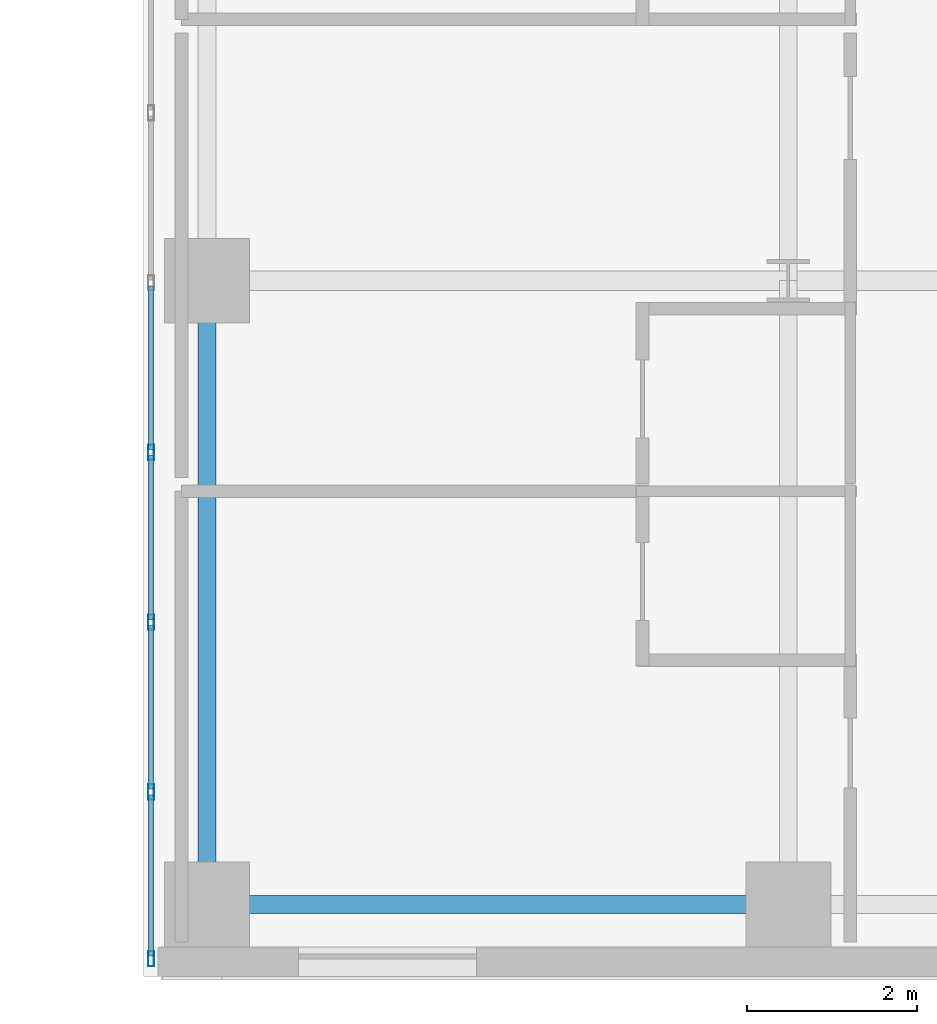
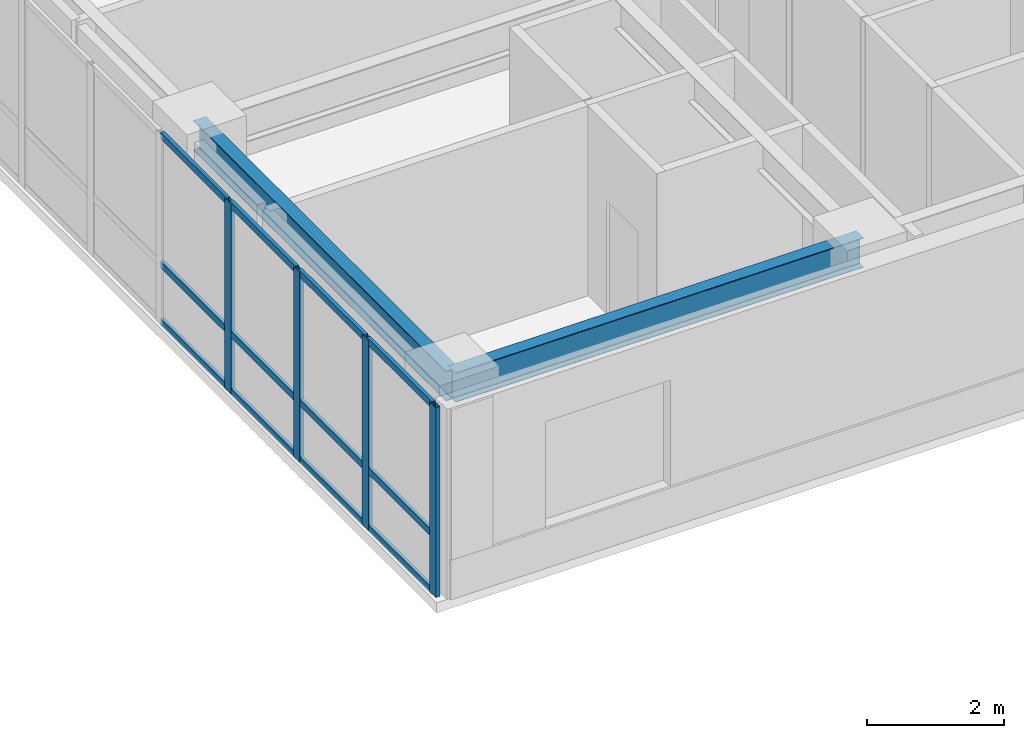
# One storey, part 14 of 37: 16 members, 2 beams, 1 element without a shape of its own.
"""IFC4 building model written with IfcOpenShell, lengths in metres."""

from ifc_helpers import new_model, si_unit, direction, frame, origin, origin_2d, place, context, subcontext, project, spatial, hollow_rectangle, i_section, extrude, source, transform, mapped, material, layer, layer_set, material_profile, profile_set, type_object, type_shapes, element, aggregate, save


model = new_model("IFC4")

# Units and contexts
model_context = context("Model", 3, precision=1e-05, world=origin(), true_north=direction((0.0, 1.0)))
body_context = subcontext(model_context, "Body", "Model", "MODEL_VIEW")
ifc_project = project(units=[si_unit("LENGTHUNIT", "METRE"), si_unit("AREAUNIT", "SQUARE_METRE"), si_unit("VOLUMEUNIT", "CUBIC_METRE"), si_unit("PLANEANGLEUNIT", "RADIAN"), si_unit("MASSUNIT", "GRAM", prefix="KILO")], contexts=[model_context])

# Site, building, storey
site_placement = place(None, origin())
site = spatial("IfcSite", under=ifc_project, at=site_placement, CompositionType="ELEMENT")
building_placement = place(site_placement, origin())
building = spatial("IfcBuilding", under=site, at=building_placement, Name="Tolvann Quenvar Hotel", CompositionType="ELEMENT")
storey_placement = place(building_placement, frame((0.0, 0.0, 53.300048828125)))
storey = spatial("IfcBuildingStorey", under=building, at=storey_placement, Name="L12", CompositionType="ELEMENT", Elevation=53.300048828125)

# Beams
ifc_material_1 = material(Name="Steel Grade 350", Category="steel")
ifc_material_profile_1 = material_profile(ifc_material_1, i_section(OverallWidth=0.208984375, OverallDepth=0.528076171875, WebThickness=0.009521484375, FlangeThickness=0.01318359375, FilletRadius=0.013916015625, at=origin_2d()), Name="530UB82")
ifc_profile_set_1 = profile_set([ifc_material_profile_1], Name="Steel Grade 350")
beam_type_1 = type_object("IfcBeamType", Name="BM_SPAND_530UB82", PredefinedType="SPANDREL", material=ifc_profile_set_1)
shared_shape_1 = source(origin(), body_context, "Body", "SweptSolid", [
    extrude(i_section(OverallWidth=0.208984375, OverallDepth=0.528076171875, WebThickness=0.009521484375, FlangeThickness=0.01318359375, FilletRadius=0.013916015625, at=origin_2d()), origin(), (0.0, 0.0, 1.0), 6.85009765625),
])
type_shapes(beam_type_1, [shared_shape_1])
beam_1_placement = place(storey_placement, frame((34.949951171875, 0.85009765625, 3.10595703125), z_axis=(1.0, 0.0, 0.0), x_axis=(0.0, 1.0, 0.0)))
element("IfcBeam", 1, at=beam_1_placement, inside=storey, type_object=beam_type_1, Name="BM-L12-EW-2-F2-H2", PredefinedType="SPANDREL", context=body_context, shape_type="MappedRepresentation", body=[
    mapped(shared_shape_1, transform((0.0, 0.0, 0.0), x_axis=(1.0, 0.0, 0.0), y_axis=(0.0, 1.0, 0.0), z_axis=(0.0, 0.0, 1.0), scale=1.0)),
])
ifc_material_profile_2 = material_profile(ifc_material_1, i_section(OverallWidth=0.208984375, OverallDepth=0.532958984375, WebThickness=0.01025390625, FlangeThickness=0.015625, FilletRadius=0.013916015625, at=origin_2d()), Name="530UB92")
ifc_profile_set_2 = profile_set([ifc_material_profile_2], Name="Steel Grade 350")
beam_type_2 = type_object("IfcBeamType", Name="BM_GIRD_530UB92", PredefinedType="BEAM", material=ifc_profile_set_2)
shared_shape_2 = source(origin(), body_context, "Body", "SweptSolid", [
    extrude(i_section(OverallWidth=0.208984375, OverallDepth=0.532958984375, WebThickness=0.01025390625, FlangeThickness=0.015625, FilletRadius=0.013916015625, at=origin_2d()), origin(), (0.0, 0.0, 1.0), 7.349853515625),
])
type_shapes(beam_type_2, [shared_shape_2])
beam_2_placement = place(storey_placement, frame((34.949951171875, 0.85009765625, 3.103515625), z_axis=(0.0, 1.0, 0.0), x_axis=(-1.0, 0.0, 0.0)))
element("IfcBeam", 2, at=beam_2_placement, inside=storey, type_object=beam_type_2, Name="BM-L12-NS-F2-F3", PredefinedType="BEAM", context=body_context, shape_type="MappedRepresentation", body=[
    mapped(shared_shape_2, transform((0.0, 0.0, 0.0), x_axis=(1.0, 0.0, 0.0), y_axis=(0.0, 1.0, 0.0), z_axis=(0.0, 0.0, 1.0), scale=1.0)),
])

# Curtain wall, members
ifc_material_2 = material(Name="Thermally broken anodised architectural aluminium 6063-T6 and laminated low-E glass", Category="aluminium")
ifc_layer = layer(ifc_material_2, 0.179931640625)
ifc_layer_set = layer_set([ifc_layer], Name="Thermally broken anodised architectural aluminium 6063-T6 and laminated low-E glass")
curtain_wall_type = type_object("IfcCurtainWallType", Name="CW_SYS_SLOT_03", PredefinedType="USERDEFINED", material=ifc_layer_set)
curtain_wall_placement = place(storey_placement, origin())
curtain_wall = element("IfcCurtainWall", 3, at=curtain_wall_placement, inside=storey, type_object=curtain_wall_type, Name="Curtain Wall CW-SLOT-03 (CWR-L12-E07)", ObjectType="UNITISED CURTAIN WALL", PredefinedType="USERDEFINED")
ifc_material_3 = material(Name="Anodised architectural aluminium 6063-T6 framing", Category="aluminium")
ifc_material_profile_3 = material_profile(ifc_material_3, hollow_rectangle(XDim=0.06005859375, YDim=0.1201171875, WallThickness=0.00341796875, at=origin_2d()), Name="120x60x3.5RHS")
ifc_profile_set_3 = profile_set([ifc_material_profile_3], Name="Anodised architectural aluminium 6063-T6 framing")
member_type_1 = type_object("IfcMemberType", Name="CW_TRAN_120x60", PredefinedType="USERDEFINED", material=ifc_profile_set_3)
shared_shape_3 = source(origin(), body_context, "Body", "SweptSolid", [
    extrude(hollow_rectangle(XDim=0.06005859375, YDim=0.1201171875, WallThickness=0.00341796875, at=origin_2d()), origin(), (0.0, 0.0, 1.0), 1.894775390625),
])
member_1_placement = place(storey_placement, frame((34.2900390625, 2.139892578125, 0.030029296875), z_axis=(0.0, -1.0, 0.0), x_axis=(1.0, 0.0, 0.0)))
member_1 = element("IfcMember", 4, at=member_1_placement, type_object=member_type_1, Name="CW-SLOT-03 transom 8.1", ObjectType="TRANSOM", PredefinedType="USERDEFINED", context=body_context, shape_type="MappedRepresentation", body=[
    mapped(shared_shape_3, transform((0.0, 0.0, 0.0), x_axis=(1.0, 0.0, 0.0), y_axis=(0.0, 1.0, 0.0), z_axis=(0.0, 0.0, 1.0), scale=1.0)),
])
member_2_placement = place(storey_placement, frame((34.2900390625, 2.139892578125, 1.050048828125), z_axis=(0.0, -1.0, 0.0), x_axis=(1.0, 0.0, 0.0)))
member_2 = element("IfcMember", 5, at=member_2_placement, type_object=member_type_1, Name="CW-SLOT-03 transom 8.2", ObjectType="TRANSOM", PredefinedType="USERDEFINED", context=body_context, shape_type="MappedRepresentation", body=[
    mapped(shared_shape_3, transform((0.0, 0.0, 0.0), x_axis=(1.0, 0.0, 0.0), y_axis=(0.0, 1.0, 0.0), z_axis=(0.0, 0.0, 1.0), scale=1.0)),
])
member_3_placement = place(storey_placement, frame((34.2900390625, 2.139892578125, 3.33984375), z_axis=(0.0, -1.0, 0.0), x_axis=(1.0, 0.0, 0.0)))
member_3 = element("IfcMember", 6, at=member_3_placement, type_object=member_type_1, Name="CW-SLOT-03 transom 8.3", ObjectType="TRANSOM", PredefinedType="USERDEFINED", context=body_context, shape_type="MappedRepresentation", body=[
    mapped(shared_shape_3, transform((0.0, 0.0, 0.0), x_axis=(1.0, 0.0, 0.0), y_axis=(0.0, 1.0, 0.0), z_axis=(0.0, 0.0, 1.0), scale=1.0)),
])
shared_shape_4 = source(origin(), body_context, "Body", "SweptSolid", [
    extrude(hollow_rectangle(XDim=0.06005859375, YDim=0.1201171875, WallThickness=0.00341796875, at=origin_2d()), origin(), (0.0, 0.0, 1.0), 1.929931640625),
])
type_shapes(member_type_1, [shared_shape_3, shared_shape_4])
member_4_placement = place(storey_placement, frame((34.2900390625, 8.139892578125, 0.030029296875), z_axis=(0.0, -1.0, 0.0), x_axis=(1.0, 0.0, 0.0)))
member_4 = element("IfcMember", 7, at=member_4_placement, type_object=member_type_1, Name="CW-SLOT-03 transom 5.1", ObjectType="TRANSOM", PredefinedType="USERDEFINED", context=body_context, shape_type="MappedRepresentation", body=[
    mapped(shared_shape_4, transform((0.0, 0.0, 0.0), x_axis=(1.0, 0.0, 0.0), y_axis=(0.0, 1.0, 0.0), z_axis=(0.0, 0.0, 1.0), scale=1.0)),
])
member_5_placement = place(storey_placement, frame((34.2900390625, 8.139892578125, 1.050048828125), z_axis=(0.0, -1.0, 0.0), x_axis=(1.0, 0.0, 0.0)))
member_5 = element("IfcMember", 8, at=member_5_placement, type_object=member_type_1, Name="CW-SLOT-03 transom 5.2", ObjectType="TRANSOM", PredefinedType="USERDEFINED", context=body_context, shape_type="MappedRepresentation", body=[
    mapped(shared_shape_4, transform((0.0, 0.0, 0.0), x_axis=(1.0, 0.0, 0.0), y_axis=(0.0, 1.0, 0.0), z_axis=(0.0, 0.0, 1.0), scale=1.0)),
])
member_6_placement = place(storey_placement, frame((34.2900390625, 8.139892578125, 3.33984375), z_axis=(0.0, -1.0, 0.0), x_axis=(1.0, 0.0, 0.0)))
member_6 = element("IfcMember", 9, at=member_6_placement, type_object=member_type_1, Name="CW-SLOT-03 transom 5.3", ObjectType="TRANSOM", PredefinedType="USERDEFINED", context=body_context, shape_type="MappedRepresentation", body=[
    mapped(shared_shape_4, transform((0.0, 0.0, 0.0), x_axis=(1.0, 0.0, 0.0), y_axis=(0.0, 1.0, 0.0), z_axis=(0.0, 0.0, 1.0), scale=1.0)),
])
member_7_placement = place(storey_placement, frame((34.2900390625, 6.139892578125, 0.030029296875), z_axis=(0.0, -1.0, 0.0), x_axis=(1.0, 0.0, 0.0)))
member_7 = element("IfcMember", 10, at=member_7_placement, type_object=member_type_1, Name="CW-SLOT-03 transom 6.1", ObjectType="TRANSOM", PredefinedType="USERDEFINED", context=body_context, shape_type="MappedRepresentation", body=[
    mapped(shared_shape_4, transform((0.0, 0.0, 0.0), x_axis=(1.0, 0.0, 0.0), y_axis=(0.0, 1.0, 0.0), z_axis=(0.0, 0.0, 1.0), scale=1.0)),
])
member_8_placement = place(storey_placement, frame((34.2900390625, 6.139892578125, 1.050048828125), z_axis=(0.0, -1.0, 0.0), x_axis=(1.0, 0.0, 0.0)))
member_8 = element("IfcMember", 11, at=member_8_placement, type_object=member_type_1, Name="CW-SLOT-03 transom 6.2", ObjectType="TRANSOM", PredefinedType="USERDEFINED", context=body_context, shape_type="MappedRepresentation", body=[
    mapped(shared_shape_4, transform((0.0, 0.0, 0.0), x_axis=(1.0, 0.0, 0.0), y_axis=(0.0, 1.0, 0.0), z_axis=(0.0, 0.0, 1.0), scale=1.0)),
])
member_9_placement = place(storey_placement, frame((34.2900390625, 6.139892578125, 3.33984375), z_axis=(0.0, -1.0, 0.0), x_axis=(1.0, 0.0, 0.0)))
member_9 = element("IfcMember", 12, at=member_9_placement, type_object=member_type_1, Name="CW-SLOT-03 transom 6.3", ObjectType="TRANSOM", PredefinedType="USERDEFINED", context=body_context, shape_type="MappedRepresentation", body=[
    mapped(shared_shape_4, transform((0.0, 0.0, 0.0), x_axis=(1.0, 0.0, 0.0), y_axis=(0.0, 1.0, 0.0), z_axis=(0.0, 0.0, 1.0), scale=1.0)),
])
member_10_placement = place(storey_placement, frame((34.2900390625, 4.139892578125, 0.030029296875), z_axis=(0.0, -1.0, 0.0), x_axis=(1.0, 0.0, 0.0)))
member_10 = element("IfcMember", 13, at=member_10_placement, type_object=member_type_1, Name="CW-SLOT-03 transom 7.1", ObjectType="TRANSOM", PredefinedType="USERDEFINED", context=body_context, shape_type="MappedRepresentation", body=[
    mapped(shared_shape_4, transform((0.0, 0.0, 0.0), x_axis=(1.0, 0.0, 0.0), y_axis=(0.0, 1.0, 0.0), z_axis=(0.0, 0.0, 1.0), scale=1.0)),
])
member_11_placement = place(storey_placement, frame((34.2900390625, 4.139892578125, 1.050048828125), z_axis=(0.0, -1.0, 0.0), x_axis=(1.0, 0.0, 0.0)))
member_11 = element("IfcMember", 14, at=member_11_placement, type_object=member_type_1, Name="CW-SLOT-03 transom 7.2", ObjectType="TRANSOM", PredefinedType="USERDEFINED", context=body_context, shape_type="MappedRepresentation", body=[
    mapped(shared_shape_4, transform((0.0, 0.0, 0.0), x_axis=(1.0, 0.0, 0.0), y_axis=(0.0, 1.0, 0.0), z_axis=(0.0, 0.0, 1.0), scale=1.0)),
])
member_12_placement = place(storey_placement, frame((34.2900390625, 4.139892578125, 3.33984375), z_axis=(0.0, -1.0, 0.0), x_axis=(1.0, 0.0, 0.0)))
member_12 = element("IfcMember", 15, at=member_12_placement, type_object=member_type_1, Name="CW-SLOT-03 transom 7.3", ObjectType="TRANSOM", PredefinedType="USERDEFINED", context=body_context, shape_type="MappedRepresentation", body=[
    mapped(shared_shape_4, transform((0.0, 0.0, 0.0), x_axis=(1.0, 0.0, 0.0), y_axis=(0.0, 1.0, 0.0), z_axis=(0.0, 0.0, 1.0), scale=1.0)),
])
ifc_material_profile_4 = material_profile(ifc_material_3, hollow_rectangle(XDim=0.070068359375, YDim=0.179931640625, WallThickness=0.00390625, at=origin_2d()), Name="180x70x4RHS")
ifc_profile_set_4 = profile_set([ifc_material_profile_4], Name="Anodised architectural aluminium 6063-T6 framing")
member_type_2 = type_object("IfcMemberType", Name="CW_MULL_180x70", PredefinedType="MULLION", material=ifc_profile_set_4)
shared_shape_5 = source(origin(), body_context, "Body", "SweptSolid", [
    extrude(hollow_rectangle(XDim=0.070068359375, YDim=0.179931640625, WallThickness=0.00390625, at=origin_2d()), origin(), (0.0, 0.0, 1.0), 3.369873046875),
])
type_shapes(member_type_2, [shared_shape_5])
member_13_placement = place(storey_placement, frame((34.2900390625, 6.175048828125, 0.0), z_axis=(0.0, 0.0, 1.0), x_axis=(1.0, 0.0, 0.0)))
member_13 = element("IfcMember", 16, at=member_13_placement, type_object=member_type_2, Name="CW-SLOT-03 mullion 6", PredefinedType="MULLION", context=body_context, shape_type="MappedRepresentation", body=[
    mapped(shared_shape_5, transform((0.0, 0.0, 0.0), x_axis=(1.0, 0.0, 0.0), y_axis=(0.0, 1.0, 0.0), z_axis=(0.0, 0.0, 1.0), scale=1.0)),
])
member_14_placement = place(storey_placement, frame((34.2900390625, 4.175048828125, 0.0), z_axis=(0.0, 0.0, 1.0), x_axis=(1.0, 0.0, 0.0)))
member_14 = element("IfcMember", 17, at=member_14_placement, type_object=member_type_2, Name="CW-SLOT-03 mullion 7", PredefinedType="MULLION", context=body_context, shape_type="MappedRepresentation", body=[
    mapped(shared_shape_5, transform((0.0, 0.0, 0.0), x_axis=(1.0, 0.0, 0.0), y_axis=(0.0, 1.0, 0.0), z_axis=(0.0, 0.0, 1.0), scale=1.0)),
])
member_15_placement = place(storey_placement, frame((34.2900390625, 2.175048828125, 0.0), z_axis=(0.0, 0.0, 1.0), x_axis=(1.0, 0.0, 0.0)))
member_15 = element("IfcMember", 18, at=member_15_placement, type_object=member_type_2, Name="CW-SLOT-03 mullion 8", PredefinedType="MULLION", context=body_context, shape_type="MappedRepresentation", body=[
    mapped(shared_shape_5, transform((0.0, 0.0, 0.0), x_axis=(1.0, 0.0, 0.0), y_axis=(0.0, 1.0, 0.0), z_axis=(0.0, 0.0, 1.0), scale=1.0)),
])
member_16_placement = place(storey_placement, frame((34.2900390625, 0.2099609375, 0.0), z_axis=(0.0, 0.0, 1.0), x_axis=(1.0, 0.0, 0.0)))
member_16 = element("IfcMember", 19, at=member_16_placement, type_object=member_type_2, Name="CW-SLOT-03 mullion 9", PredefinedType="MULLION", context=body_context, shape_type="MappedRepresentation", body=[
    mapped(shared_shape_5, transform((0.0, 0.0, 0.0), x_axis=(1.0, 0.0, 0.0), y_axis=(0.0, 1.0, 0.0), z_axis=(0.0, 0.0, 1.0), scale=1.0)),
])
aggregate(curtain_wall, [member_13, member_14, member_15, member_16, member_4, member_5, member_6, member_7, member_8, member_9, member_10, member_11, member_12, member_1, member_2, member_3])

save(model, "model.ifc")
